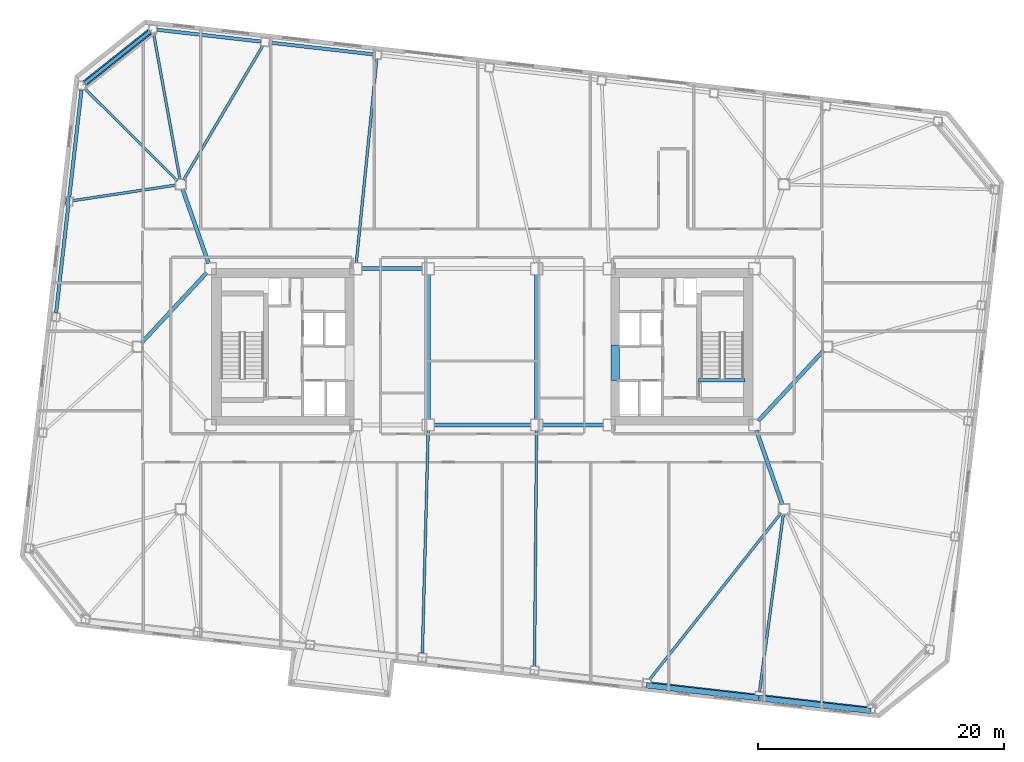
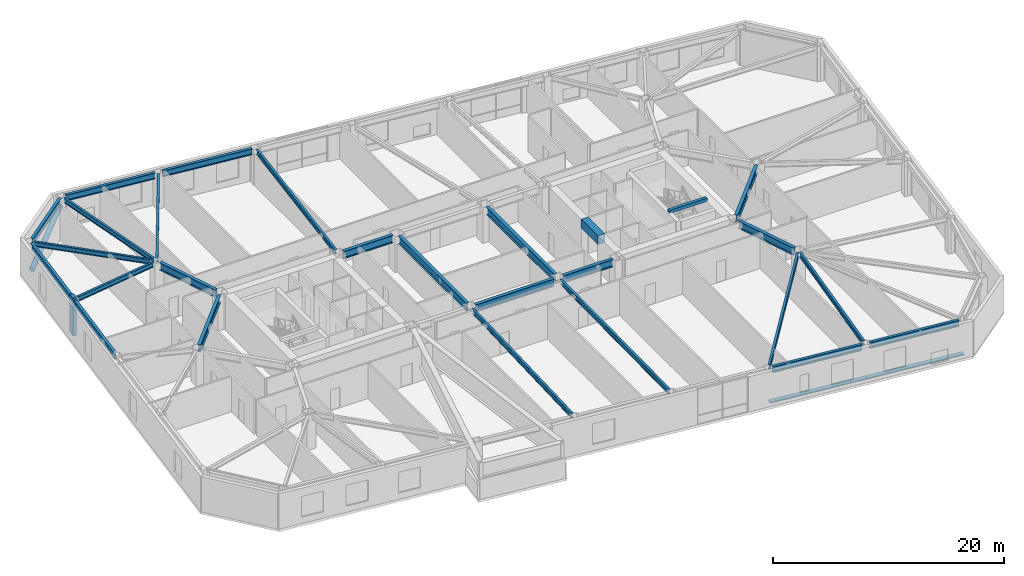
# One storey, part 4 of 19: 27 beams, 4 members.
"""IFC4 building model written with IfcOpenShell, lengths in metres."""

from ifc_helpers import new_model, si_unit, direction, frame, origin, origin_2d, place, context, subcontext, project, spatial, rectangle, hollow_circle, i_section, extrude, material, material_profile, profile_set, type_object, element, save


model = new_model("IFC4")

# Units and contexts
model_context = context("Model", 3, precision=1e-05, world=origin(), true_north=direction((0.0, 1.0)))
body_context = subcontext(model_context, "Body", "Model", "MODEL_VIEW")
ifc_project = project(units=[si_unit("LENGTHUNIT", "METRE"), si_unit("AREAUNIT", "SQUARE_METRE"), si_unit("VOLUMEUNIT", "CUBIC_METRE"), si_unit("PLANEANGLEUNIT", "RADIAN"), si_unit("MASSUNIT", "GRAM", prefix="KILO")], contexts=[model_context])

# Site, building, storey
site_placement = place(None, origin())
site = spatial("IfcSite", under=ifc_project, at=site_placement, CompositionType="ELEMENT")
building_placement = place(site_placement, origin())
building = spatial("IfcBuilding", under=site, at=building_placement, Name="Tavrogorsk Clinical Tower", CompositionType="ELEMENT")
storey_placement = place(building_placement, frame((0.0, 0.0, 97.39990234375)))
storey = spatial("IfcBuildingStorey", under=building, at=storey_placement, Name="L21", CompositionType="ELEMENT", Elevation=97.39990234375)

# Members
ifc_material_1 = material(Name="Anodised aluminium alloy AW-6063", Category="aluminium")
ifc_material_profile_1 = material_profile(ifc_material_1, rectangle(XDim=0.449951171875, YDim=0.1201171875, at=origin_2d()), Name="ALU-SUNSHADE-450x120")
ifc_profile_set_1 = profile_set([ifc_material_profile_1], Name="Anodised aluminium alloy AW-6063")
member_type_1 = type_object("IfcMemberType", Name="ChicagoSunshade_450x120", PredefinedType="USERDEFINED", material=ifc_profile_set_1)
for number, where, z_axis, x_axis, name in (
    (1, (13.326416015625, -27.502197265625, 0.18017578125), (0.993572654864, -0.113196199166, 0.0), (0.113196199166, 0.993572654864, 0.0), "L21 South Aluminium Sunshade S6"),
    (2, (22.444580078125, -28.541015625, 0.18017578125), (0.993572654864, -0.113196199166, 0.0), (0.113196199166, 0.993572654864, 0.0), "L21 South Aluminium Sunshade S7"),
):
    element("IfcMember", number, at=place(storey_placement, frame(where, z_axis=z_axis, x_axis=x_axis)), inside=storey, type_object=member_type_1, Name=name, ObjectType="SUNSHADE", PredefinedType="USERDEFINED", context=body_context, shape_type="SweptSolid", body=[
        extrude(rectangle(XDim=0.449951171875, YDim=0.1201171875, at=origin_2d()), origin(), (0.0, 0.0, 1.0), 9.17724609375),
    ])

# Beam
ifc_material_2 = material(Name="Concrete B80", Category="concrete")
ifc_material_profile_2 = material_profile(ifc_material_2, rectangle(XDim=0.699951171875, YDim=0.949951171875, at=origin_2d()), Name="RC-CB-700x950")
ifc_profile_set_2 = profile_set([ifc_material_profile_2], Name="Concrete B80")
beam_type_1 = type_object("IfcBeamType", Name="CouplingBeam_RC700x950", PredefinedType="LINTEL", material=ifc_profile_set_2)
beam_1_placement = place(storey_placement, frame((10.800048828125, -2.75, 3.26513671875), z_axis=(0.0, 1.0, 0.0), x_axis=(-1.0, 0.0, 0.0)))
element("IfcBeam", 3, at=beam_1_placement, inside=storey, type_object=beam_type_1, Name="L21 Core East Coupling Beam", PredefinedType="LINTEL", context=body_context, shape_type="SweptSolid", body=[
    extrude(rectangle(XDim=0.699951171875, YDim=0.949951171875, at=origin_2d()), origin(), (0.0, 0.0, 1.0), 2.89990234375),
])

# Member
ifc_material_3 = material(Name="Structural steel S440", Category="steel")
ifc_material_profile_3 = material_profile(ifc_material_3, hollow_circle(Radius=0.25390625, WallThickness=0.02001953125, at=origin_2d()), Name="CHS-508x20")
ifc_profile_set_3 = profile_set([ifc_material_profile_3], Name="Structural steel S440")
member_type_2 = type_object("IfcMemberType", Name="ExoBrace_CHS508", PredefinedType="BRACE", material=ifc_profile_set_3)
member_1_placement = place(storey_placement, frame((-32.27587890625, 21.431884765625, 0.425048828125), z_axis=(0.73336936718, 0.583326985798, 0.349140371371), x_axis=(-0.622500682662, 0.782619256143, 0.0)))
element("IfcMember", 4, at=member_1_placement, inside=storey, type_object=member_type_2, Name="L21 Corner Exoskeleton Brace N8-W1", PredefinedType="BRACE", context=body_context, shape_type="SweptSolid", body=[
    extrude(hollow_circle(Radius=0.25390625, WallThickness=0.02001953125, at=origin_2d()), origin(), (0.0, 0.0, 1.0), 7.1318359375),
])

# Beams
ifc_material_4 = material(Name="Structural steel S355", Category="steel")
ifc_material_profile_4 = material_profile(ifc_material_4, i_section(OverallWidth=0.219970703125, OverallDepth=0.5, WebThickness=0.012939453125, FlangeThickness=0.02001953125, at=origin_2d()), Name="B-500x220x13x20")
ifc_profile_set_4 = profile_set([ifc_material_profile_4], Name="Structural steel S355")
beam_type_2 = type_object("IfcBeamType", Name="FloorBeam_B500", PredefinedType="BEAM", material=ifc_profile_set_4)
beam_2_placement = place(storey_placement, frame((-4.411865234375, -6.809814453125, 3.489990234375), z_axis=(-0.025907273598, -0.999664350257, 0.0), x_axis=(0.999664350257, -0.025907273598, 0.0)))
element("IfcBeam", 5, at=beam_2_placement, inside=storey, type_object=beam_type_2, Name="L21 Radial Floor Beam S4", PredefinedType="BEAM", context=body_context, shape_type="SweptSolid", body=[
    extrude(i_section(OverallWidth=0.219970703125, OverallDepth=0.5, WebThickness=0.012939453125, FlangeThickness=0.02001953125, at=origin_2d()), origin(), (0.0, 0.0, 1.0), 18.083984375),
])
beam_3_placement = place(storey_placement, frame((4.39599609375, -6.81005859375, 3.489990234375), z_axis=(-0.00859471964, -0.999963064715, 0.0), x_axis=(0.999963064715, -0.00859471964, 0.0)))
element("IfcBeam", 6, at=beam_3_placement, inside=storey, type_object=beam_type_2, Name="L21 Radial Floor Beam S5", PredefinedType="BEAM", context=body_context, shape_type="SweptSolid", body=[
    extrude(i_section(OverallWidth=0.219970703125, OverallDepth=0.5, WebThickness=0.012939453125, FlangeThickness=0.02001953125, at=origin_2d()), origin(), (0.0, 0.0, 1.0), 19.1171875),
])
beam_4_placement = place(storey_placement, frame((24.245849609375, -13.521728515625, 3.489990234375), z_axis=(-0.619757312108, -0.784793523221, 0.0), x_axis=(0.784793523221, -0.619757312108, 0.0)))
element("IfcBeam", 7, at=beam_4_placement, inside=storey, type_object=beam_type_2, Name="L21 Radial Floor Beam S6", PredefinedType="BEAM", context=body_context, shape_type="SweptSolid", body=[
    extrude(i_section(OverallWidth=0.219970703125, OverallDepth=0.5, WebThickness=0.012939453125, FlangeThickness=0.02001953125, at=origin_2d()), origin(), (0.0, 0.0, 1.0), 17.22802734375),
])
beam_5_placement = place(storey_placement, frame((24.445556640625, -13.6064453125, 3.489990234375), z_axis=(-0.133025440596, -0.991112623345, 0.0), x_axis=(0.991112623345, -0.133025440596, 0.0)))
element("IfcBeam", 8, at=beam_5_placement, inside=storey, type_object=beam_type_2, Name="L21 Radial Floor Beam S7", PredefinedType="BEAM", context=body_context, shape_type="SweptSolid", body=[
    extrude(i_section(OverallWidth=0.219970703125, OverallDepth=0.5, WebThickness=0.012939453125, FlangeThickness=0.02001953125, at=origin_2d()), origin(), (0.0, 0.0, 1.0), 14.530029296875),
])
beam_6_placement = place(storey_placement, frame((-10.25390625, 6.8076171875, 3.489990234375), z_axis=(0.100407035617, 0.994946444387, 0.0), x_axis=(-0.994946444387, 0.100407035617, 0.0)))
element("IfcBeam", 9, at=beam_6_placement, inside=storey, type_object=beam_type_2, Name="L21 Radial Floor Beam N6", PredefinedType="BEAM", context=body_context, shape_type="SweptSolid", body=[
    extrude(i_section(OverallWidth=0.219970703125, OverallDepth=0.5, WebThickness=0.012939453125, FlangeThickness=0.02001953125, at=origin_2d()), origin(), (0.0, 0.0, 1.0), 16.643798828125),
])
beam_7_placement = place(storey_placement, frame((-24.291259765625, 13.552978515625, 3.489990234375), z_axis=(0.508876748392, 0.86083938975, 0.0), x_axis=(-0.86083938975, 0.508876748392, 0.0)))
element("IfcBeam", 10, at=beam_7_placement, inside=storey, type_object=beam_type_2, Name="L21 Radial Floor Beam N7", PredefinedType="BEAM", context=body_context, shape_type="SweptSolid", body=[
    extrude(i_section(OverallWidth=0.219970703125, OverallDepth=0.5, WebThickness=0.012939453125, FlangeThickness=0.02001953125, at=origin_2d()), origin(), (0.0, 0.0, 1.0), 12.663330078125),
])
beam_8_placement = place(storey_placement, frame((-24.572998046875, 13.603515625, 3.489990234375), z_axis=(-0.178287530482, 0.983978432932, 0.0), x_axis=(-0.983978432932, -0.178287530482, 0.0)))
element("IfcBeam", 11, at=beam_8_placement, inside=storey, type_object=beam_type_2, Name="L21 Radial Floor Beam N8", PredefinedType="BEAM", context=body_context, shape_type="SweptSolid", body=[
    extrude(i_section(OverallWidth=0.219970703125, OverallDepth=0.5, WebThickness=0.012939453125, FlangeThickness=0.02001953125, at=origin_2d()), origin(), (0.0, 0.0, 1.0), 12.0380859375),
])
beam_9_placement = place(storey_placement, frame((-24.790283203125, 13.48974609375, 3.489990234375), z_axis=(-0.707775090959, 0.706437839175, 0.0), x_axis=(-0.706437839175, -0.707775090959, 0.0)))
element("IfcBeam", 12, at=beam_9_placement, inside=storey, type_object=beam_type_2, Name="L21 Radial Floor Beam W1", PredefinedType="BEAM", context=body_context, shape_type="SweptSolid", body=[
    extrude(i_section(OverallWidth=0.219970703125, OverallDepth=0.5, WebThickness=0.012939453125, FlangeThickness=0.02001953125, at=origin_2d()), origin(), (0.0, 0.0, 1.0), 10.589111328125),
])
beam_10_placement = place(storey_placement, frame((-24.905517578125, 13.138671875, 3.489990234375), z_axis=(-0.98878314082, -0.149358295482, 0.0), x_axis=(0.149358295482, -0.98878314082, 0.0)))
element("IfcBeam", 13, at=beam_10_placement, inside=storey, type_object=beam_type_2, Name="L21 Radial Floor Beam W2", PredefinedType="BEAM", context=body_context, shape_type="SweptSolid", body=[
    extrude(i_section(OverallWidth=0.219970703125, OverallDepth=0.5, WebThickness=0.012939453125, FlangeThickness=0.02001953125, at=origin_2d()), origin(), (0.0, 0.0, 1.0), 8.4443359375),
])

# Member
ifc_material_5 = material(Name="Precast concrete B45 with limestone cladding", Category="masonry")
ifc_material_profile_5 = material_profile(ifc_material_5, rectangle(XDim=0.320068359375, YDim=0.719970703125, at=origin_2d()), Name="LIMESTONE-FIN-320x720")
ifc_profile_set_5 = profile_set([ifc_material_profile_5], Name="Precast concrete B45 with limestone cladding")
member_type_3 = type_object("IfcMemberType", Name="LimestonePleatFin_320x720", PredefinedType="USERDEFINED", material=ifc_profile_set_5)
member_2_placement = place(storey_placement, frame((-33.688720703125, 11.8330078125, 0.0), z_axis=(0.0, 0.0, 1.0), x_axis=(0.993571855677, -0.113203213768, 0.0)))
element("IfcMember", 14, at=member_2_placement, inside=storey, type_object=member_type_3, Name="L21 W Pleated Stone Fin 1", ObjectType="FIN", PredefinedType="USERDEFINED", context=body_context, shape_type="SweptSolid", body=[
    extrude(rectangle(XDim=0.320068359375, YDim=0.719970703125, at=origin_2d()), origin(), (0.0, 0.0, 1.0), 4.0),
])

# Beams
ifc_material_6 = material(Name="Structural steel S390", Category="steel")
ifc_material_profile_6 = material_profile(ifc_material_6, i_section(OverallWidth=0.320068359375, OverallDepth=0.800048828125, WebThickness=0.02001953125, FlangeThickness=0.033935546875, at=origin_2d()), Name="B-800x320x20x34")
ifc_profile_set_6 = profile_set([ifc_material_profile_6], Name="Structural steel S390")
beam_type_3 = type_object("IfcBeamType", Name="PrimaryGirder_B800", PredefinedType="USERDEFINED", material=ifc_profile_set_6)
beam_11_placement = place(storey_placement, frame((-9.840087890625, 6.35009765625, 3.340087890625), z_axis=(1.0, 0.0, 0.0), x_axis=(0.0, 1.0, 0.0)))
element("IfcBeam", 15, at=beam_11_placement, inside=storey, type_object=beam_type_3, Name="L21 Primary Spine Girder MG-02", ObjectType="GIRDER", PredefinedType="USERDEFINED", context=body_context, shape_type="SweptSolid", body=[
    extrude(i_section(OverallWidth=0.320068359375, OverallDepth=0.800048828125, WebThickness=0.02001953125, FlangeThickness=0.033935546875, at=origin_2d()), origin(), (0.0, 0.0, 1.0), 4.97998046875),
])
beam_12_placement = place(storey_placement, frame((-3.93994140625, -6.35009765625, 3.340087890625), z_axis=(1.0, 0.0, 0.0), x_axis=(0.0, 1.0, 0.0)))
element("IfcBeam", 16, at=beam_12_placement, inside=storey, type_object=beam_type_3, Name="L21 Primary Spine Girder MG-03", ObjectType="GIRDER", PredefinedType="USERDEFINED", context=body_context, shape_type="SweptSolid", body=[
    extrude(i_section(OverallWidth=0.320068359375, OverallDepth=0.800048828125, WebThickness=0.02001953125, FlangeThickness=0.033935546875, at=origin_2d()), origin(), (0.0, 0.0, 1.0), 7.8798828125),
])
beam_13_placement = place(storey_placement, frame((4.860107421875, -6.35009765625, 3.340087890625), z_axis=(1.0, 0.0, 0.0), x_axis=(0.0, 1.0, 0.0)))
element("IfcBeam", 17, at=beam_13_placement, inside=storey, type_object=beam_type_3, Name="L21 Primary Spine Girder MG-05", ObjectType="GIRDER", PredefinedType="USERDEFINED", context=body_context, shape_type="SweptSolid", body=[
    extrude(i_section(OverallWidth=0.320068359375, OverallDepth=0.800048828125, WebThickness=0.02001953125, FlangeThickness=0.033935546875, at=origin_2d()), origin(), (0.0, 0.0, 1.0), 4.97998046875),
])
for number, where, z_axis, x_axis, name in (
    (18, (-4.39990234375, -5.889892578125, 3.340087890625), (0.0, 1.0, 0.0), (-1.0, 0.0, 0.0), "L21 Primary Spine Girder MG-07"),
    (19, (4.39990234375, -5.889892578125, 3.340087890625), (0.0, 1.0, 0.0), (-1.0, 0.0, 0.0), "L21 Primary Spine Girder MG-08"),
):
    element("IfcBeam", number, at=place(storey_placement, frame(where, z_axis=z_axis, x_axis=x_axis)), inside=storey, type_object=beam_type_3, Name=name, ObjectType="GIRDER", PredefinedType="USERDEFINED", context=body_context, shape_type="SweptSolid", body=[
        extrude(i_section(OverallWidth=0.320068359375, OverallDepth=0.800048828125, WebThickness=0.02001953125, FlangeThickness=0.033935546875, at=origin_2d()), origin(), (0.0, 0.0, 1.0), 11.77978515625),
    ])
for number, where, z_axis, x_axis, name in (
    (20, (24.364501953125, -12.81298828125, 3.340087890625), (-0.330660234815, 0.943749865755, 0.0), (-0.943749865755, -0.330660234815, 0.0), "L21 Spine Link Girder OPG-2"),
    (21, (-24.364501953125, 12.81298828125, 3.340087890625), (0.330660234815, -0.943749865755, 0.0), (0.943749865755, 0.330660234815, 0.0), "L21 Spine Link Girder OPG-3"),
):
    element("IfcBeam", number, at=place(storey_placement, frame(where, z_axis=z_axis, x_axis=x_axis)), inside=storey, type_object=beam_type_3, Name=name, ObjectType="GIRDER", PredefinedType="USERDEFINED", context=body_context, shape_type="SweptSolid", body=[
        extrude(i_section(OverallWidth=0.320068359375, OverallDepth=0.800048828125, WebThickness=0.02001953125, FlangeThickness=0.033935546875, at=origin_2d()), origin(), (0.0, 0.0, 1.0), 6.38818359375),
    ])
for number, where, z_axis, x_axis, name in (
    (22, (-27.720947265625, 0.30029296875, 3.340087890625), (0.680675630035, 0.732584934787, 0.0), (-0.732584934787, 0.680675630035, 0.0), "L21 Spine Link Girder OPG-6"),
    (23, (27.720947265625, -0.30029296875, 3.340087890625), (-0.680675630035, -0.732584934787, 0.0), (0.732584934787, -0.680675630035, 0.0), "L21 Spine Link Girder OPG-7"),
):
    element("IfcBeam", number, at=place(storey_placement, frame(where, z_axis=z_axis, x_axis=x_axis)), inside=storey, type_object=beam_type_3, Name=name, ObjectType="GIRDER", PredefinedType="USERDEFINED", context=body_context, shape_type="SweptSolid", body=[
        extrude(i_section(OverallWidth=0.320068359375, OverallDepth=0.800048828125, WebThickness=0.02001953125, FlangeThickness=0.033935546875, at=origin_2d()), origin(), (0.0, 0.0, 1.0), 7.7978515625),
    ])
ifc_material_7 = material(Name="Structural steel S390", Category="steel")
ifc_material_profile_7 = material_profile(ifc_material_7, i_section(OverallWidth=0.280029296875, OverallDepth=0.64990234375, WebThickness=0.01611328125, FlangeThickness=0.02490234375, at=origin_2d()), Name="B-650x280x16x25")
ifc_profile_set_7 = profile_set([ifc_material_profile_7], Name="Structural steel S390")
beam_type_4 = type_object("IfcBeamType", Name="SpandrelBeam_B650", PredefinedType="SPANDREL", material=ifc_profile_set_7)
beam_14_placement = place(storey_placement, frame((13.702392578125, -27.36376953125, 3.4150390625), z_axis=(0.993569819641, -0.113221082395, 0.0), x_axis=(0.113221082395, 0.993569819641, 0.0)))
element("IfcBeam", 24, at=beam_14_placement, inside=storey, type_object=beam_type_4, Name="L21 Perimeter Spandrel S6-S7", PredefinedType="SPANDREL", context=body_context, shape_type="SweptSolid", body=[
    extrude(i_section(OverallWidth=0.280029296875, OverallDepth=0.64990234375, WebThickness=0.01611328125, FlangeThickness=0.02490234375, at=origin_2d()), origin(), (0.0, 0.0, 1.0), 8.46142578125),
])
beam_15_placement = place(storey_placement, frame((22.82080078125, -28.40283203125, 3.4150390625), z_axis=(0.99357232562, -0.113199089054, 0.0), x_axis=(0.113199089054, 0.99357232562, 0.0)))
element("IfcBeam", 25, at=beam_15_placement, inside=storey, type_object=beam_type_4, Name="L21 Perimeter Spandrel S7-S8", PredefinedType="SPANDREL", context=body_context, shape_type="SweptSolid", body=[
    extrude(i_section(OverallWidth=0.280029296875, OverallDepth=0.64990234375, WebThickness=0.01611328125, FlangeThickness=0.02490234375, at=origin_2d()), origin(), (0.0, 0.0, 1.0), 8.4609375),
])
for number, where, z_axis, x_axis, name in (
    (26, (-8.902587890625, 23.763916015625, 3.4150390625), (-0.993572695356, 0.113195843756, 0.0), (-0.113195843756, -0.993572695356, 0.0), "L21 Perimeter Spandrel N6-N7"),
    (27, (-18.020751953125, 24.802734375, 3.4150390625), (-0.993572695356, 0.113195843756, 0.0), (-0.113195843756, -0.993572695356, 0.0), "L21 Perimeter Spandrel N7-N8"),
):
    element("IfcBeam", number, at=place(storey_placement, frame(where, z_axis=z_axis, x_axis=x_axis)), inside=storey, type_object=beam_type_4, Name=name, PredefinedType="SPANDREL", context=body_context, shape_type="SweptSolid", body=[
        extrude(i_section(OverallWidth=0.280029296875, OverallDepth=0.64990234375, WebThickness=0.01611328125, FlangeThickness=0.02490234375, at=origin_2d()), origin(), (0.0, 0.0, 1.0), 8.461181640625),
    ])
beam_16_placement = place(storey_placement, frame((-27.063232421875, 25.578125, 3.4150390625), z_axis=(-0.782613271493, -0.622508206599, 0.0), x_axis=(0.622508206599, -0.782613271493, 0.0)))
element("IfcBeam", 28, at=beam_16_placement, inside=storey, type_object=beam_type_4, Name="L21 Perimeter Spandrel N8-W1", PredefinedType="SPANDREL", context=body_context, shape_type="SweptSolid", body=[
    extrude(i_section(OverallWidth=0.280029296875, OverallDepth=0.64990234375, WebThickness=0.01611328125, FlangeThickness=0.02490234375, at=origin_2d()), origin(), (0.0, 0.0, 1.0), 6.6376953125),
])
for number, where, z_axis, x_axis, name in (
    (29, (-32.578857421875, 20.867431640625, 3.4150390625), (-0.113192226434, -0.993573107464, 0.0), (0.993573107464, -0.113192226434, 0.0), "L21 Perimeter Spandrel W1-W2"),
    (30, (-33.649658203125, 11.46826171875, 3.4150390625), (-0.113219789686, -0.993569966949, 0.0), (0.993569966949, -0.113219789686, 0.0), "L21 Perimeter Spandrel W2-W3"),
):
    element("IfcBeam", number, at=place(storey_placement, frame(where, z_axis=z_axis, x_axis=x_axis)), inside=storey, type_object=beam_type_4, Name=name, PredefinedType="SPANDREL", context=body_context, shape_type="SweptSolid", body=[
        extrude(i_section(OverallWidth=0.280029296875, OverallDepth=0.64990234375, WebThickness=0.01611328125, FlangeThickness=0.02490234375, at=origin_2d()), origin(), (0.0, 0.0, 1.0), 8.743896484375),
    ])
ifc_material_8 = material(Name="Concrete B60", Category="concrete")
ifc_material_profile_8 = material_profile(ifc_material_8, rectangle(XDim=0.300048828125, YDim=0.35009765625, at=origin_2d()), Name="RC-SHB-300x350")
ifc_profile_set_8 = profile_set([ifc_material_profile_8], Name="Concrete B60")
beam_type_5 = type_object("IfcBeamType", Name="StairHeaderBeam_RC300x350", PredefinedType="BEAM", material=ifc_profile_set_8)
beam_17_placement = place(storey_placement, frame((17.550048828125, -2.719970703125, 3.8251953125), z_axis=(1.0, 0.0, 0.0), x_axis=(0.0, 1.0, 0.0)))
element("IfcBeam", 31, at=beam_17_placement, inside=storey, type_object=beam_type_5, Name="L22 ST-E Landing Header Beam", PredefinedType="BEAM", context=body_context, shape_type="SweptSolid", body=[
    extrude(rectangle(XDim=0.300048828125, YDim=0.35009765625, at=origin_2d()), origin(), (0.0, 0.0, 1.0), 3.800048828125),
])

save(model, "model.ifc")
